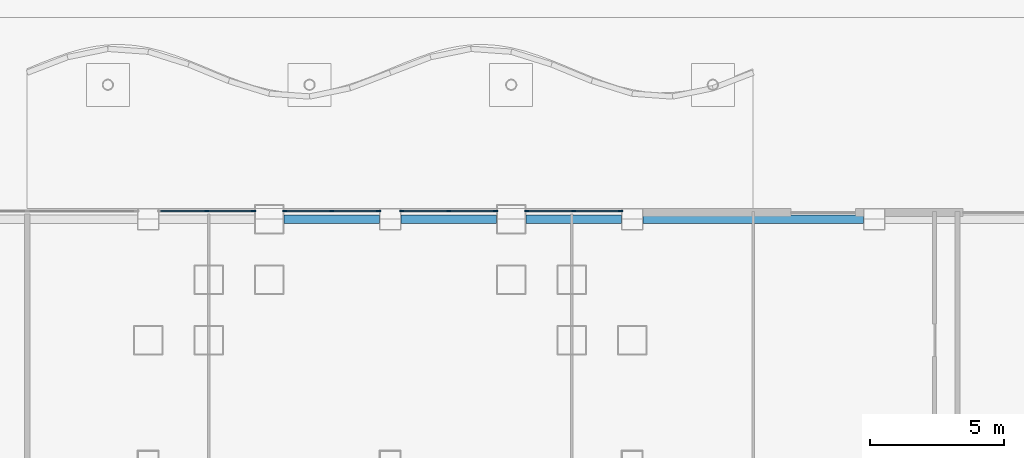
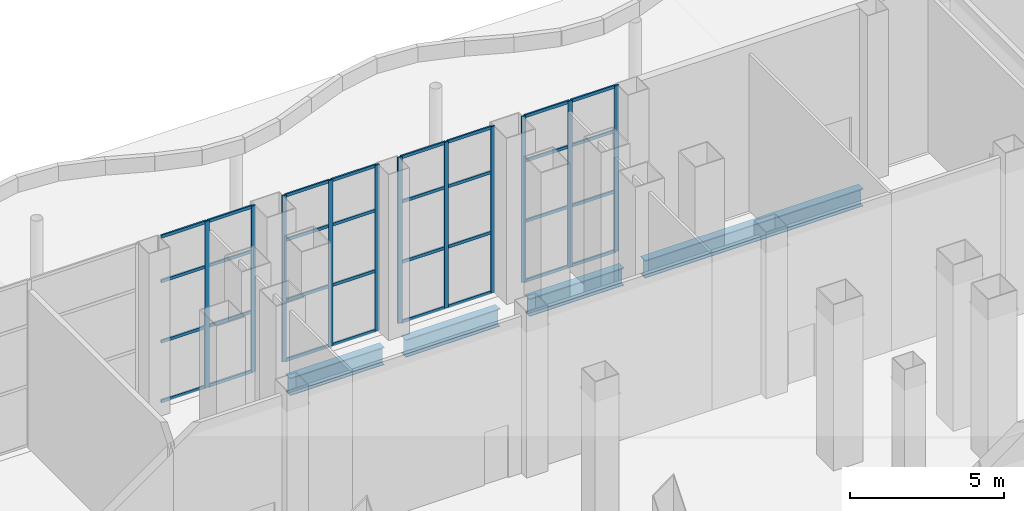
# One storey, part 9 of 38: 43 members, 4 beams, 4 elements without a shape of their own.
"""IFC4 building model written with IfcOpenShell, lengths in metres."""

from ifc_helpers import new_model, si_unit, direction, frame, origin, origin_2d, place, context, subcontext, project, spatial, rectangle, i_section, extrude, material, layer, layer_set, material_profile, profile_set, type_object, element, aggregate, save


model = new_model("IFC4")

# Units and contexts
model_context = context("Model", 3, precision=1e-05, world=origin(), true_north=direction((0.0, 1.0)))
body_context = subcontext(model_context, "Body", "Model", "MODEL_VIEW")
ifc_project = project(units=[si_unit("LENGTHUNIT", "METRE"), si_unit("AREAUNIT", "SQUARE_METRE"), si_unit("VOLUMEUNIT", "CUBIC_METRE"), si_unit("PLANEANGLEUNIT", "RADIAN"), si_unit("MASSUNIT", "GRAM", prefix="KILO")], contexts=[model_context])

# Site, building, storey
site_placement = place(None, origin())
site = spatial("IfcSite", under=ifc_project, at=site_placement, CompositionType="ELEMENT")
building_placement = place(site_placement, origin())
building = spatial("IfcBuilding", under=site, at=building_placement, Name="Caravel Reach Hotel and Residences", CompositionType="ELEMENT")
storey_placement = place(building_placement, origin())
storey = spatial("IfcBuildingStorey", under=building, at=storey_placement, Name="L00", CompositionType="ELEMENT", Elevation=0.0)

# Curtain wall, members
ifc_material_1 = material(Name="Dark low-e glazing in black aluminium frame", Category="aluminium")
ifc_layer = layer(ifc_material_1, 0.199951171875)
ifc_layer_set = layer_set([ifc_layer], Name="CW1 Podium storefront")
curtain_wall_type = type_object("IfcCurtainWallType", Name="CW1 Podium storefront", PredefinedType="NOTDEFINED", material=ifc_layer_set)
curtain_wall_1_placement = place(storey_placement, origin())
curtain_wall_1 = element("IfcCurtainWall", 1, at=curtain_wall_1_placement, inside=storey, type_object=curtain_wall_type, Name="Podium storefront b3", PredefinedType="NOTDEFINED")
ifc_material_2 = material(Name="Anodised aluminium alloy 6063-T5, black", Category="aluminium")
ifc_material_profile_1 = material_profile(ifc_material_2, rectangle(XDim=0.06005859375, YDim=0.159912109375, at=origin_2d()), Name="CW mullion 60 x 160")
ifc_profile_set_1 = profile_set([ifc_material_profile_1], Name="Anodised aluminium alloy 6063-T5, black")
member_type_1 = type_object("IfcMemberType", Name="CW mullion 60 x 160", PredefinedType="MULLION", material=ifc_profile_set_1)
member_1_placement = place(storey_placement, frame((40.070068359375, 54.300048828125, 0.0), z_axis=(0.0, 0.0, 1.0), x_axis=(0.0, -1.0, 0.0)))
member_1 = element("IfcMember", 2, at=member_1_placement, type_object=member_type_1, Name="CW1 mullion 1", PredefinedType="MULLION", context=body_context, shape_type="SweptSolid", body=[
    extrude(rectangle(XDim=0.06005859375, YDim=0.159912109375, at=origin_2d()), origin(), (0.0, 0.0, 1.0), 6.60009765625),
])
member_2_placement = place(storey_placement, frame((38.324951171875, 54.300048828125, 0.0), z_axis=(0.0, 0.0, 1.0), x_axis=(0.0, -1.0, 0.0)))
member_2 = element("IfcMember", 3, at=member_2_placement, type_object=member_type_1, Name="CW1 mullion 2", PredefinedType="MULLION", context=body_context, shape_type="SweptSolid", body=[
    extrude(rectangle(XDim=0.06005859375, YDim=0.159912109375, at=origin_2d()), origin(), (0.0, 0.0, 1.0), 6.60009765625),
])
member_3_placement = place(storey_placement, frame((36.580078125, 54.300048828125, 0.0), z_axis=(0.0, 0.0, 1.0), x_axis=(0.0, -1.0, 0.0)))
member_3 = element("IfcMember", 4, at=member_3_placement, type_object=member_type_1, Name="CW1 mullion 3", PredefinedType="MULLION", context=body_context, shape_type="SweptSolid", body=[
    extrude(rectangle(XDim=0.06005859375, YDim=0.159912109375, at=origin_2d()), origin(), (0.0, 0.0, 1.0), 6.60009765625),
])

curtain_wall_2_placement = place(storey_placement, origin())
curtain_wall_2 = element("IfcCurtainWall", 5, at=curtain_wall_2_placement, inside=storey, type_object=curtain_wall_type, Name="Podium storefront b4", PredefinedType="NOTDEFINED")
member_4_placement = place(storey_placement, frame((35.419921875, 54.300048828125, 0.0), z_axis=(0.0, 0.0, 1.0), x_axis=(0.0, -1.0, 0.0)))
member_4 = element("IfcMember", 6, at=member_4_placement, type_object=member_type_1, Name="CW1 mullion 1", PredefinedType="MULLION", context=body_context, shape_type="SweptSolid", body=[
    extrude(rectangle(XDim=0.06005859375, YDim=0.159912109375, at=origin_2d()), origin(), (0.0, 0.0, 1.0), 6.60009765625),
])
member_5_placement = place(storey_placement, frame((33.675048828125, 54.300048828125, 0.0), z_axis=(0.0, 0.0, 1.0), x_axis=(0.0, -1.0, 0.0)))
member_5 = element("IfcMember", 7, at=member_5_placement, type_object=member_type_1, Name="CW1 mullion 2", PredefinedType="MULLION", context=body_context, shape_type="SweptSolid", body=[
    extrude(rectangle(XDim=0.06005859375, YDim=0.159912109375, at=origin_2d()), origin(), (0.0, 0.0, 1.0), 6.60009765625),
])
member_6_placement = place(storey_placement, frame((31.929931640625, 54.300048828125, 0.0), z_axis=(0.0, 0.0, 1.0), x_axis=(0.0, -1.0, 0.0)))
member_6 = element("IfcMember", 8, at=member_6_placement, type_object=member_type_1, Name="CW1 mullion 3", PredefinedType="MULLION", context=body_context, shape_type="SweptSolid", body=[
    extrude(rectangle(XDim=0.06005859375, YDim=0.159912109375, at=origin_2d()), origin(), (0.0, 0.0, 1.0), 6.60009765625),
])

curtain_wall_3_placement = place(storey_placement, origin())
curtain_wall_3 = element("IfcCurtainWall", 9, at=curtain_wall_3_placement, inside=storey, type_object=curtain_wall_type, Name="Podium storefront b5", PredefinedType="NOTDEFINED")
member_7_placement = place(storey_placement, frame((31.070068359375, 54.300048828125, 0.0), z_axis=(0.0, 0.0, 1.0), x_axis=(0.0, -1.0, 0.0)))
member_7 = element("IfcMember", 10, at=member_7_placement, type_object=member_type_1, Name="CW1 mullion 1", PredefinedType="MULLION", context=body_context, shape_type="SweptSolid", body=[
    extrude(rectangle(XDim=0.06005859375, YDim=0.159912109375, at=origin_2d()), origin(), (0.0, 0.0, 1.0), 6.60009765625),
])
member_8_placement = place(storey_placement, frame((29.324951171875, 54.300048828125, 0.0), z_axis=(0.0, 0.0, 1.0), x_axis=(0.0, -1.0, 0.0)))
member_8 = element("IfcMember", 11, at=member_8_placement, type_object=member_type_1, Name="CW1 mullion 2", PredefinedType="MULLION", context=body_context, shape_type="SweptSolid", body=[
    extrude(rectangle(XDim=0.06005859375, YDim=0.159912109375, at=origin_2d()), origin(), (0.0, 0.0, 1.0), 6.60009765625),
])
member_9_placement = place(storey_placement, frame((27.580078125, 54.300048828125, 0.0), z_axis=(0.0, 0.0, 1.0), x_axis=(0.0, -1.0, 0.0)))
member_9 = element("IfcMember", 12, at=member_9_placement, type_object=member_type_1, Name="CW1 mullion 3", PredefinedType="MULLION", context=body_context, shape_type="SweptSolid", body=[
    extrude(rectangle(XDim=0.06005859375, YDim=0.159912109375, at=origin_2d()), origin(), (0.0, 0.0, 1.0), 6.60009765625),
])

curtain_wall_4_placement = place(storey_placement, origin())
curtain_wall_4 = element("IfcCurtainWall", 13, at=curtain_wall_4_placement, inside=storey, type_object=curtain_wall_type, Name="Podium storefront b6", PredefinedType="NOTDEFINED")
member_10_placement = place(storey_placement, frame((26.419921875, 54.300048828125, 0.0), z_axis=(0.0, 0.0, 1.0), x_axis=(0.0, -1.0, 0.0)))
member_10 = element("IfcMember", 14, at=member_10_placement, type_object=member_type_1, Name="CW1 mullion 1", PredefinedType="MULLION", context=body_context, shape_type="SweptSolid", body=[
    extrude(rectangle(XDim=0.06005859375, YDim=0.159912109375, at=origin_2d()), origin(), (0.0, 0.0, 1.0), 6.60009765625),
])
member_11_placement = place(storey_placement, frame((24.675048828125, 54.300048828125, 0.0), z_axis=(0.0, 0.0, 1.0), x_axis=(0.0, -1.0, 0.0)))
member_11 = element("IfcMember", 15, at=member_11_placement, type_object=member_type_1, Name="CW1 mullion 2", PredefinedType="MULLION", context=body_context, shape_type="SweptSolid", body=[
    extrude(rectangle(XDim=0.06005859375, YDim=0.159912109375, at=origin_2d()), origin(), (0.0, 0.0, 1.0), 6.60009765625),
])

# Member
ifc_material_3 = material(Name="Anodised aluminium alloy 6063-T5, black", Category="aluminium")
ifc_material_profile_2 = material_profile(ifc_material_3, rectangle(XDim=0.06005859375, YDim=0.1201171875, at=origin_2d()), Name="CW transom 60 x 120")
ifc_profile_set_2 = profile_set([ifc_material_profile_2], Name="Anodised aluminium alloy 6063-T5, black")
member_type_2 = type_object("IfcMemberType", Name="CW transom 60 x 120", PredefinedType="USERDEFINED", material=ifc_profile_set_2)
member_12_placement = place(storey_placement, frame((40.0400390625, 54.300048828125, 0.030029296875), z_axis=(-1.0, 0.0, 0.0), x_axis=(0.0, -1.0, 0.0)))
member_12 = element("IfcMember", 16, at=member_12_placement, type_object=member_type_2, Name="CW1 transom 1.1", ObjectType="TRANSOM", PredefinedType="USERDEFINED", context=body_context, shape_type="SweptSolid", body=[
    extrude(rectangle(XDim=0.06005859375, YDim=0.1201171875, at=origin_2d()), origin(), (0.0, 0.0, 1.0), 1.68505859375),
])

member_13_placement = place(storey_placement, frame((40.0400390625, 54.300048828125, 2.39990234375), z_axis=(-1.0, 0.0, 0.0), x_axis=(0.0, -1.0, 0.0)))
member_13 = element("IfcMember", 17, at=member_13_placement, type_object=member_type_2, Name="CW1 transom 1.2", ObjectType="TRANSOM", PredefinedType="USERDEFINED", context=body_context, shape_type="SweptSolid", body=[
    extrude(rectangle(XDim=0.06005859375, YDim=0.1201171875, at=origin_2d()), origin(), (0.0, 0.0, 1.0), 1.68505859375),
])

member_14_placement = place(storey_placement, frame((40.0400390625, 54.300048828125, 4.800048828125), z_axis=(-1.0, 0.0, 0.0), x_axis=(0.0, -1.0, 0.0)))
member_14 = element("IfcMember", 18, at=member_14_placement, type_object=member_type_2, Name="CW1 transom 1.3", ObjectType="TRANSOM", PredefinedType="USERDEFINED", context=body_context, shape_type="SweptSolid", body=[
    extrude(rectangle(XDim=0.06005859375, YDim=0.1201171875, at=origin_2d()), origin(), (0.0, 0.0, 1.0), 1.68505859375),
])

member_15_placement = place(storey_placement, frame((40.0400390625, 54.300048828125, 6.570068359375), z_axis=(-1.0, 0.0, 0.0), x_axis=(0.0, -1.0, 0.0)))
member_15 = element("IfcMember", 19, at=member_15_placement, type_object=member_type_2, Name="CW1 transom 1.4", ObjectType="TRANSOM", PredefinedType="USERDEFINED", context=body_context, shape_type="SweptSolid", body=[
    extrude(rectangle(XDim=0.06005859375, YDim=0.1201171875, at=origin_2d()), origin(), (0.0, 0.0, 1.0), 1.68505859375),
])

member_16_placement = place(storey_placement, frame((38.294921875, 54.300048828125, 0.030029296875), z_axis=(-1.0, 0.0, 0.0), x_axis=(0.0, -1.0, 0.0)))
member_16 = element("IfcMember", 20, at=member_16_placement, type_object=member_type_2, Name="CW1 transom 2.1", ObjectType="TRANSOM", PredefinedType="USERDEFINED", context=body_context, shape_type="SweptSolid", body=[
    extrude(rectangle(XDim=0.06005859375, YDim=0.1201171875, at=origin_2d()), origin(), (0.0, 0.0, 1.0), 1.684814453125),
])

member_17_placement = place(storey_placement, frame((38.294921875, 54.300048828125, 2.39990234375), z_axis=(-1.0, 0.0, 0.0), x_axis=(0.0, -1.0, 0.0)))
member_17 = element("IfcMember", 21, at=member_17_placement, type_object=member_type_2, Name="CW1 transom 2.2", ObjectType="TRANSOM", PredefinedType="USERDEFINED", context=body_context, shape_type="SweptSolid", body=[
    extrude(rectangle(XDim=0.06005859375, YDim=0.1201171875, at=origin_2d()), origin(), (0.0, 0.0, 1.0), 1.684814453125),
])

member_18_placement = place(storey_placement, frame((38.294921875, 54.300048828125, 4.800048828125), z_axis=(-1.0, 0.0, 0.0), x_axis=(0.0, -1.0, 0.0)))
member_18 = element("IfcMember", 22, at=member_18_placement, type_object=member_type_2, Name="CW1 transom 2.3", ObjectType="TRANSOM", PredefinedType="USERDEFINED", context=body_context, shape_type="SweptSolid", body=[
    extrude(rectangle(XDim=0.06005859375, YDim=0.1201171875, at=origin_2d()), origin(), (0.0, 0.0, 1.0), 1.684814453125),
])

member_19_placement = place(storey_placement, frame((38.294921875, 54.300048828125, 6.570068359375), z_axis=(-1.0, 0.0, 0.0), x_axis=(0.0, -1.0, 0.0)))
member_19 = element("IfcMember", 23, at=member_19_placement, type_object=member_type_2, Name="CW1 transom 2.4", ObjectType="TRANSOM", PredefinedType="USERDEFINED", context=body_context, shape_type="SweptSolid", body=[
    extrude(rectangle(XDim=0.06005859375, YDim=0.1201171875, at=origin_2d()), origin(), (0.0, 0.0, 1.0), 1.684814453125),
])

aggregate(curtain_wall_1, [member_1, member_2, member_3, member_12, member_13, member_14, member_15, member_16, member_17, member_18, member_19])

member_20_placement = place(storey_placement, frame((35.389892578125, 54.300048828125, 0.030029296875), z_axis=(-1.0, 0.0, 0.0), x_axis=(0.0, -1.0, 0.0)))
member_20 = element("IfcMember", 24, at=member_20_placement, type_object=member_type_2, Name="CW1 transom 1.1", ObjectType="TRANSOM", PredefinedType="USERDEFINED", context=body_context, shape_type="SweptSolid", body=[
    extrude(rectangle(XDim=0.06005859375, YDim=0.1201171875, at=origin_2d()), origin(), (0.0, 0.0, 1.0), 1.684814453125),
])

member_21_placement = place(storey_placement, frame((35.389892578125, 54.300048828125, 2.39990234375), z_axis=(-1.0, 0.0, 0.0), x_axis=(0.0, -1.0, 0.0)))
member_21 = element("IfcMember", 25, at=member_21_placement, type_object=member_type_2, Name="CW1 transom 1.2", ObjectType="TRANSOM", PredefinedType="USERDEFINED", context=body_context, shape_type="SweptSolid", body=[
    extrude(rectangle(XDim=0.06005859375, YDim=0.1201171875, at=origin_2d()), origin(), (0.0, 0.0, 1.0), 1.684814453125),
])

member_22_placement = place(storey_placement, frame((35.389892578125, 54.300048828125, 4.800048828125), z_axis=(-1.0, 0.0, 0.0), x_axis=(0.0, -1.0, 0.0)))
member_22 = element("IfcMember", 26, at=member_22_placement, type_object=member_type_2, Name="CW1 transom 1.3", ObjectType="TRANSOM", PredefinedType="USERDEFINED", context=body_context, shape_type="SweptSolid", body=[
    extrude(rectangle(XDim=0.06005859375, YDim=0.1201171875, at=origin_2d()), origin(), (0.0, 0.0, 1.0), 1.684814453125),
])

member_23_placement = place(storey_placement, frame((35.389892578125, 54.300048828125, 6.570068359375), z_axis=(-1.0, 0.0, 0.0), x_axis=(0.0, -1.0, 0.0)))
member_23 = element("IfcMember", 27, at=member_23_placement, type_object=member_type_2, Name="CW1 transom 1.4", ObjectType="TRANSOM", PredefinedType="USERDEFINED", context=body_context, shape_type="SweptSolid", body=[
    extrude(rectangle(XDim=0.06005859375, YDim=0.1201171875, at=origin_2d()), origin(), (0.0, 0.0, 1.0), 1.684814453125),
])

member_24_placement = place(storey_placement, frame((33.64501953125, 54.300048828125, 0.030029296875), z_axis=(-1.0, 0.0, 0.0), x_axis=(0.0, -1.0, 0.0)))
member_24 = element("IfcMember", 28, at=member_24_placement, type_object=member_type_2, Name="CW1 transom 2.1", ObjectType="TRANSOM", PredefinedType="USERDEFINED", context=body_context, shape_type="SweptSolid", body=[
    extrude(rectangle(XDim=0.06005859375, YDim=0.1201171875, at=origin_2d()), origin(), (0.0, 0.0, 1.0), 1.68505859375),
])

member_25_placement = place(storey_placement, frame((33.64501953125, 54.300048828125, 2.39990234375), z_axis=(-1.0, 0.0, 0.0), x_axis=(0.0, -1.0, 0.0)))
member_25 = element("IfcMember", 29, at=member_25_placement, type_object=member_type_2, Name="CW1 transom 2.2", ObjectType="TRANSOM", PredefinedType="USERDEFINED", context=body_context, shape_type="SweptSolid", body=[
    extrude(rectangle(XDim=0.06005859375, YDim=0.1201171875, at=origin_2d()), origin(), (0.0, 0.0, 1.0), 1.68505859375),
])

member_26_placement = place(storey_placement, frame((33.64501953125, 54.300048828125, 4.800048828125), z_axis=(-1.0, 0.0, 0.0), x_axis=(0.0, -1.0, 0.0)))
member_26 = element("IfcMember", 30, at=member_26_placement, type_object=member_type_2, Name="CW1 transom 2.3", ObjectType="TRANSOM", PredefinedType="USERDEFINED", context=body_context, shape_type="SweptSolid", body=[
    extrude(rectangle(XDim=0.06005859375, YDim=0.1201171875, at=origin_2d()), origin(), (0.0, 0.0, 1.0), 1.68505859375),
])

member_27_placement = place(storey_placement, frame((33.64501953125, 54.300048828125, 6.570068359375), z_axis=(-1.0, 0.0, 0.0), x_axis=(0.0, -1.0, 0.0)))
member_27 = element("IfcMember", 31, at=member_27_placement, type_object=member_type_2, Name="CW1 transom 2.4", ObjectType="TRANSOM", PredefinedType="USERDEFINED", context=body_context, shape_type="SweptSolid", body=[
    extrude(rectangle(XDim=0.06005859375, YDim=0.1201171875, at=origin_2d()), origin(), (0.0, 0.0, 1.0), 1.68505859375),
])

aggregate(curtain_wall_2, [member_4, member_5, member_6, member_20, member_21, member_22, member_23, member_24, member_25, member_26, member_27])

member_28_placement = place(storey_placement, frame((31.0400390625, 54.300048828125, 0.030029296875), z_axis=(-1.0, 0.0, 0.0), x_axis=(0.0, -1.0, 0.0)))
member_28 = element("IfcMember", 32, at=member_28_placement, type_object=member_type_2, Name="CW1 transom 1.1", ObjectType="TRANSOM", PredefinedType="USERDEFINED", context=body_context, shape_type="SweptSolid", body=[
    extrude(rectangle(XDim=0.06005859375, YDim=0.1201171875, at=origin_2d()), origin(), (0.0, 0.0, 1.0), 1.68505859375),
])

member_29_placement = place(storey_placement, frame((31.0400390625, 54.300048828125, 2.39990234375), z_axis=(-1.0, 0.0, 0.0), x_axis=(0.0, -1.0, 0.0)))
member_29 = element("IfcMember", 33, at=member_29_placement, type_object=member_type_2, Name="CW1 transom 1.2", ObjectType="TRANSOM", PredefinedType="USERDEFINED", context=body_context, shape_type="SweptSolid", body=[
    extrude(rectangle(XDim=0.06005859375, YDim=0.1201171875, at=origin_2d()), origin(), (0.0, 0.0, 1.0), 1.68505859375),
])

member_30_placement = place(storey_placement, frame((31.0400390625, 54.300048828125, 4.800048828125), z_axis=(-1.0, 0.0, 0.0), x_axis=(0.0, -1.0, 0.0)))
member_30 = element("IfcMember", 34, at=member_30_placement, type_object=member_type_2, Name="CW1 transom 1.3", ObjectType="TRANSOM", PredefinedType="USERDEFINED", context=body_context, shape_type="SweptSolid", body=[
    extrude(rectangle(XDim=0.06005859375, YDim=0.1201171875, at=origin_2d()), origin(), (0.0, 0.0, 1.0), 1.68505859375),
])

member_31_placement = place(storey_placement, frame((31.0400390625, 54.300048828125, 6.570068359375), z_axis=(-1.0, 0.0, 0.0), x_axis=(0.0, -1.0, 0.0)))
member_31 = element("IfcMember", 35, at=member_31_placement, type_object=member_type_2, Name="CW1 transom 1.4", ObjectType="TRANSOM", PredefinedType="USERDEFINED", context=body_context, shape_type="SweptSolid", body=[
    extrude(rectangle(XDim=0.06005859375, YDim=0.1201171875, at=origin_2d()), origin(), (0.0, 0.0, 1.0), 1.68505859375),
])

member_32_placement = place(storey_placement, frame((29.294921875, 54.300048828125, 0.030029296875), z_axis=(-1.0, 0.0, 0.0), x_axis=(0.0, -1.0, 0.0)))
member_32 = element("IfcMember", 36, at=member_32_placement, type_object=member_type_2, Name="CW1 transom 2.1", ObjectType="TRANSOM", PredefinedType="USERDEFINED", context=body_context, shape_type="SweptSolid", body=[
    extrude(rectangle(XDim=0.06005859375, YDim=0.1201171875, at=origin_2d()), origin(), (0.0, 0.0, 1.0), 1.684814453125),
])

member_33_placement = place(storey_placement, frame((29.294921875, 54.300048828125, 2.39990234375), z_axis=(-1.0, 0.0, 0.0), x_axis=(0.0, -1.0, 0.0)))
member_33 = element("IfcMember", 37, at=member_33_placement, type_object=member_type_2, Name="CW1 transom 2.2", ObjectType="TRANSOM", PredefinedType="USERDEFINED", context=body_context, shape_type="SweptSolid", body=[
    extrude(rectangle(XDim=0.06005859375, YDim=0.1201171875, at=origin_2d()), origin(), (0.0, 0.0, 1.0), 1.684814453125),
])

member_34_placement = place(storey_placement, frame((29.294921875, 54.300048828125, 4.800048828125), z_axis=(-1.0, 0.0, 0.0), x_axis=(0.0, -1.0, 0.0)))
member_34 = element("IfcMember", 38, at=member_34_placement, type_object=member_type_2, Name="CW1 transom 2.3", ObjectType="TRANSOM", PredefinedType="USERDEFINED", context=body_context, shape_type="SweptSolid", body=[
    extrude(rectangle(XDim=0.06005859375, YDim=0.1201171875, at=origin_2d()), origin(), (0.0, 0.0, 1.0), 1.684814453125),
])

member_35_placement = place(storey_placement, frame((29.294921875, 54.300048828125, 6.570068359375), z_axis=(-1.0, 0.0, 0.0), x_axis=(0.0, -1.0, 0.0)))
member_35 = element("IfcMember", 39, at=member_35_placement, type_object=member_type_2, Name="CW1 transom 2.4", ObjectType="TRANSOM", PredefinedType="USERDEFINED", context=body_context, shape_type="SweptSolid", body=[
    extrude(rectangle(XDim=0.06005859375, YDim=0.1201171875, at=origin_2d()), origin(), (0.0, 0.0, 1.0), 1.684814453125),
])

aggregate(curtain_wall_3, [member_7, member_8, member_9, member_28, member_29, member_30, member_31, member_32, member_33, member_34, member_35])

member_36_placement = place(storey_placement, frame((26.389892578125, 54.300048828125, 0.030029296875), z_axis=(-1.0, 0.0, 0.0), x_axis=(0.0, -1.0, 0.0)))
member_36 = element("IfcMember", 40, at=member_36_placement, type_object=member_type_2, Name="CW1 transom 1.1", ObjectType="TRANSOM", PredefinedType="USERDEFINED", context=body_context, shape_type="SweptSolid", body=[
    extrude(rectangle(XDim=0.06005859375, YDim=0.1201171875, at=origin_2d()), origin(), (0.0, 0.0, 1.0), 1.684814453125),
])

member_37_placement = place(storey_placement, frame((26.389892578125, 54.300048828125, 2.39990234375), z_axis=(-1.0, 0.0, 0.0), x_axis=(0.0, -1.0, 0.0)))
member_37 = element("IfcMember", 41, at=member_37_placement, type_object=member_type_2, Name="CW1 transom 1.2", ObjectType="TRANSOM", PredefinedType="USERDEFINED", context=body_context, shape_type="SweptSolid", body=[
    extrude(rectangle(XDim=0.06005859375, YDim=0.1201171875, at=origin_2d()), origin(), (0.0, 0.0, 1.0), 1.684814453125),
])

member_38_placement = place(storey_placement, frame((26.389892578125, 54.300048828125, 4.800048828125), z_axis=(-1.0, 0.0, 0.0), x_axis=(0.0, -1.0, 0.0)))
member_38 = element("IfcMember", 42, at=member_38_placement, type_object=member_type_2, Name="CW1 transom 1.3", ObjectType="TRANSOM", PredefinedType="USERDEFINED", context=body_context, shape_type="SweptSolid", body=[
    extrude(rectangle(XDim=0.06005859375, YDim=0.1201171875, at=origin_2d()), origin(), (0.0, 0.0, 1.0), 1.684814453125),
])

member_39_placement = place(storey_placement, frame((26.389892578125, 54.300048828125, 6.570068359375), z_axis=(-1.0, 0.0, 0.0), x_axis=(0.0, -1.0, 0.0)))
member_39 = element("IfcMember", 43, at=member_39_placement, type_object=member_type_2, Name="CW1 transom 1.4", ObjectType="TRANSOM", PredefinedType="USERDEFINED", context=body_context, shape_type="SweptSolid", body=[
    extrude(rectangle(XDim=0.06005859375, YDim=0.1201171875, at=origin_2d()), origin(), (0.0, 0.0, 1.0), 1.684814453125),
])

member_40_placement = place(storey_placement, frame((24.64501953125, 54.300048828125, 0.030029296875), z_axis=(-1.0, 0.0, 0.0), x_axis=(0.0, -1.0, 0.0)))
member_40 = element("IfcMember", 44, at=member_40_placement, type_object=member_type_2, Name="CW1 transom 2.1", ObjectType="TRANSOM", PredefinedType="USERDEFINED", context=body_context, shape_type="SweptSolid", body=[
    extrude(rectangle(XDim=0.06005859375, YDim=0.1201171875, at=origin_2d()), origin(), (0.0, 0.0, 1.0), 1.68505859375),
])

member_41_placement = place(storey_placement, frame((24.64501953125, 54.300048828125, 2.39990234375), z_axis=(-1.0, 0.0, 0.0), x_axis=(0.0, -1.0, 0.0)))
member_41 = element("IfcMember", 45, at=member_41_placement, type_object=member_type_2, Name="CW1 transom 2.2", ObjectType="TRANSOM", PredefinedType="USERDEFINED", context=body_context, shape_type="SweptSolid", body=[
    extrude(rectangle(XDim=0.06005859375, YDim=0.1201171875, at=origin_2d()), origin(), (0.0, 0.0, 1.0), 1.68505859375),
])

member_42_placement = place(storey_placement, frame((24.64501953125, 54.300048828125, 4.800048828125), z_axis=(-1.0, 0.0, 0.0), x_axis=(0.0, -1.0, 0.0)))
member_42 = element("IfcMember", 46, at=member_42_placement, type_object=member_type_2, Name="CW1 transom 2.3", ObjectType="TRANSOM", PredefinedType="USERDEFINED", context=body_context, shape_type="SweptSolid", body=[
    extrude(rectangle(XDim=0.06005859375, YDim=0.1201171875, at=origin_2d()), origin(), (0.0, 0.0, 1.0), 1.68505859375),
])

member_43_placement = place(storey_placement, frame((24.64501953125, 54.300048828125, 6.570068359375), z_axis=(-1.0, 0.0, 0.0), x_axis=(0.0, -1.0, 0.0)))
member_43 = element("IfcMember", 47, at=member_43_placement, type_object=member_type_2, Name="CW1 transom 2.4", ObjectType="TRANSOM", PredefinedType="USERDEFINED", context=body_context, shape_type="SweptSolid", body=[
    extrude(rectangle(XDim=0.06005859375, YDim=0.1201171875, at=origin_2d()), origin(), (0.0, 0.0, 1.0), 1.68505859375),
])

aggregate(curtain_wall_4, [member_10, member_11, member_36, member_37, member_38, member_39, member_40, member_41, member_42, member_43])

# Beams
ifc_material_4 = material(Name="Structural steel Q355B", Category="steel")
ifc_material_profile_3 = material_profile(ifc_material_4, i_section(OverallWidth=0.300048828125, OverallDepth=0.699951171875, WebThickness=0.012939453125, FlangeThickness=0.02392578125, FilletRadius=0.01806640625, at=origin_2d()), Name="HN 700x300x13x24")
ifc_profile_set_3 = profile_set([ifc_material_profile_3], Name="Structural steel Q355B")
beam_type = type_object("IfcBeamType", Name="Spandrel beam HN 700x300x13x24", PredefinedType="SPANDREL", material=ifc_profile_set_3)
beam_placement = place(storey_placement, frame((49.10009765625, 54.0, -0.75), z_axis=(-1.0, 0.0, 0.0), x_axis=(0.0, -1.0, 0.0)))
element("IfcBeam", 48, at=beam_placement, inside=storey, type_object=beam_type, Name="SP2 HN 700x300x13x24", PredefinedType="SPANDREL", context=body_context, shape_type="SweptSolid", body=[
    extrude(i_section(OverallWidth=0.300048828125, OverallDepth=0.699951171875, WebThickness=0.012939453125, FlangeThickness=0.02392578125, FilletRadius=0.01806640625, at=origin_2d()), origin(), (0.0, 0.0, 1.0), 8.2001953125),
])
for number, where, z_axis, x_axis, name in (
    (49, (40.10009765625, 54.0, -0.75), (-1.0, 0.0, 0.0), (0.0, -1.0, 0.0), "SP2 HN 700x300x13x24"),
    (50, (35.449951171875, 54.0, -0.75), (-1.0, 0.0, 0.0), (0.0, -1.0, 0.0), "SP2 HN 700x300x13x24"),
    (51, (31.10009765625, 54.0, -0.75), (-1.0, 0.0, 0.0), (0.0, -1.0, 0.0), "SP2 HN 700x300x13x24"),
):
    element("IfcBeam", number, at=place(storey_placement, frame(where, z_axis=z_axis, x_axis=x_axis)), inside=storey, type_object=beam_type, Name=name, PredefinedType="SPANDREL", context=body_context, shape_type="SweptSolid", body=[
        extrude(i_section(OverallWidth=0.300048828125, OverallDepth=0.699951171875, WebThickness=0.012939453125, FlangeThickness=0.02392578125, FilletRadius=0.01806640625, at=origin_2d()), origin(), (0.0, 0.0, 1.0), 3.550048828125),
    ])

save(model, "model.ifc")
